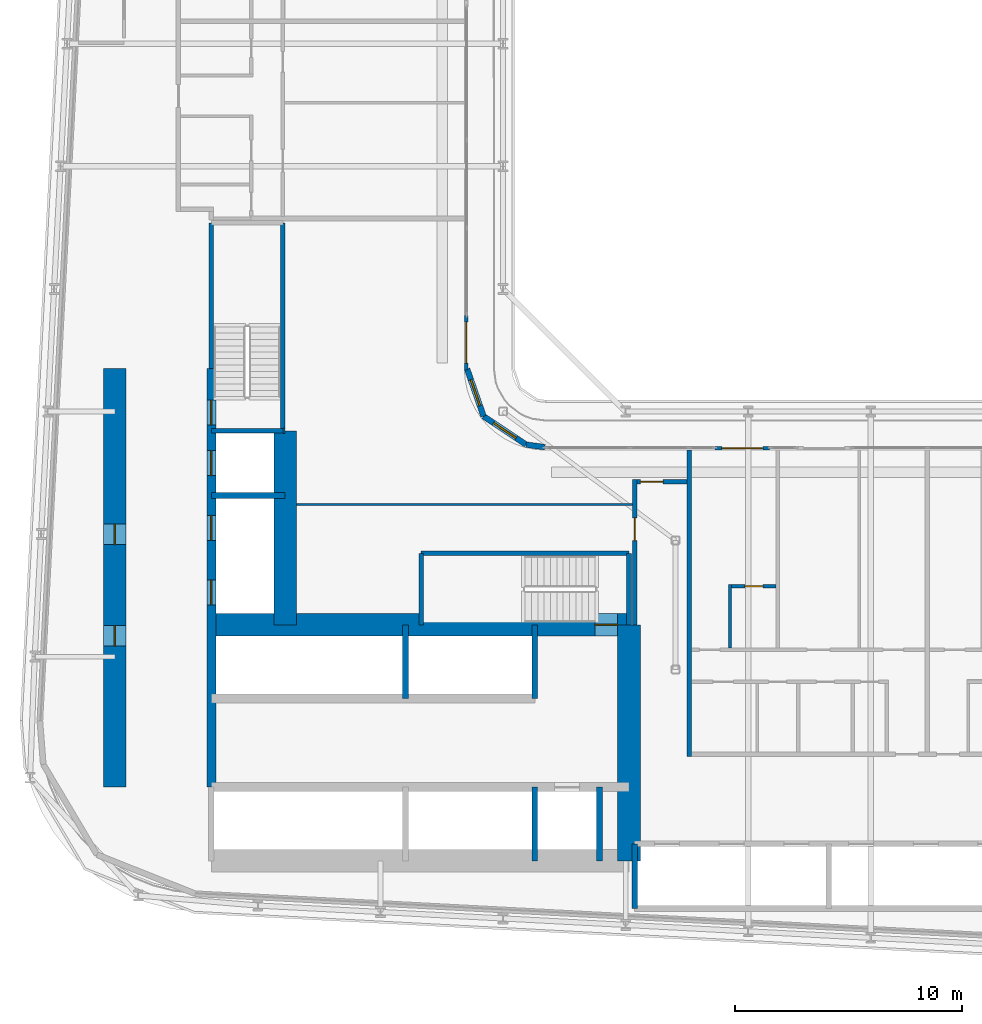
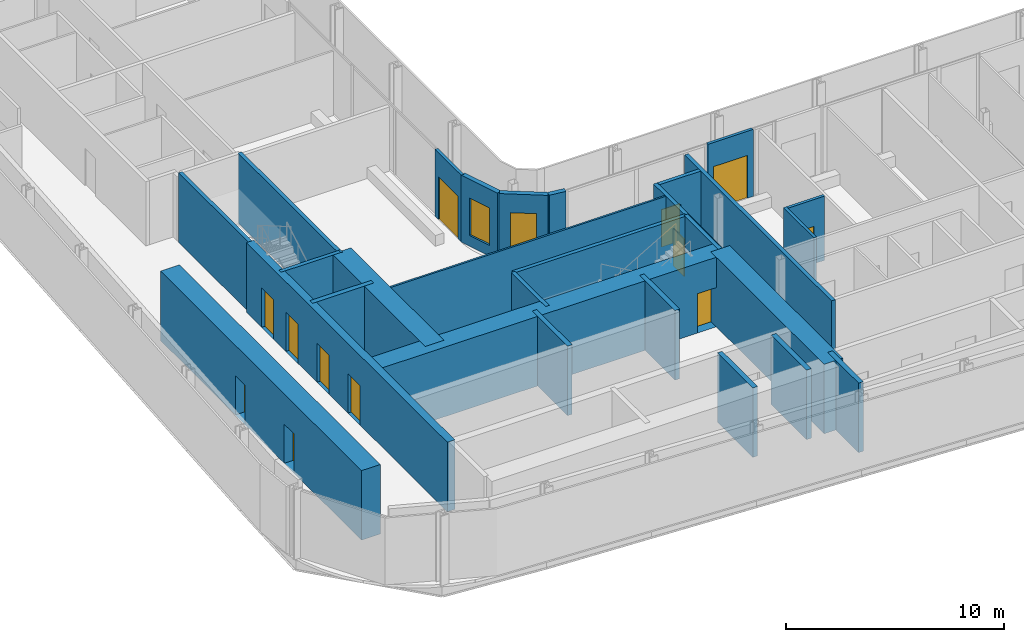
# One storey, part 11 of 24: 29 walls, 12 doors, 2 windows, 14 openings.
"""IFC4 building model written with IfcOpenShell, lengths in metres."""

from ifc_helpers import new_model, si_unit, direction, frame, frame_2d, origin, place, context, subcontext, project, spatial, rectangle, extrude, source, transform, mapped, material, layer, layer_set, type_object, element, fill, save


model = new_model("IFC4")

# Units and contexts
model_context = context("Model", 3, precision=1e-05, world=origin(), true_north=direction((0.0, 1.0)))
body_context = subcontext(model_context, "Body", "Model", "MODEL_VIEW")
ifc_project = project(units=[si_unit("LENGTHUNIT", "METRE"), si_unit("AREAUNIT", "SQUARE_METRE"), si_unit("VOLUMEUNIT", "CUBIC_METRE"), si_unit("PLANEANGLEUNIT", "RADIAN"), si_unit("MASSUNIT", "GRAM", prefix="KILO")], contexts=[model_context])

# Site, building, storey
site_placement = place(None, origin())
site = spatial("IfcSite", under=ifc_project, at=site_placement, CompositionType="ELEMENT")
building_placement = place(site_placement, origin())
building = spatial("IfcBuilding", under=site, at=building_placement, Name="Kheshtan School and Residences Tower", CompositionType="ELEMENT")
storey_placement = place(building_placement, frame((0.0, 0.0, 38.300048828125)))
storey = spatial("IfcBuildingStorey", under=building, at=storey_placement, Name="L08", CompositionType="ELEMENT", Elevation=38.300048828125)

# Wall, opening, door
ifc_material_1 = material(Name="Concrete C80/95", Category="concrete")
ifc_layer_1 = layer(ifc_material_1, 1.0)
ifc_layer_set_1 = layer_set([ifc_layer_1], Name="Core wall 1000 Concrete C80/95")
wall_type_1 = type_object("IfcWallType", Name="Core wall 1000 Concrete C80/95", PredefinedType="SHEAR", material=ifc_layer_set_1)
wall_1_placement = place(storey_placement, frame((34.75, 36.199951171875, 0.0), z_axis=(0.0, 0.0, 1.0), x_axis=(1.0, 0.0, 0.0)))
wall_1 = element("IfcWall", 1, at=wall_1_placement, inside=storey, type_object=wall_type_1, Name="Core wall CW-FRONT-S", PredefinedType="SHEAR", context=body_context, shape_type="SweptSolid", body=[
    extrude(rectangle(XDim=18.39990234375, YDim=1.0, at=frame_2d((9.199951171875, 0.0))), origin(), (0.0, 0.0, 1.0), 3.89990234375),
])
opening_1_placement = place(wall_1_placement, frame((16.89990234375, 0.0, 0.0)))
opening_1 = element("IfcOpeningElement", 2, at=opening_1_placement, cuts=wall_1, Name="Opening ST1D", PredefinedType="OPENING", context=body_context, shape_type="SweptSolid", body=[
    extrude(rectangle(XDim=1.0, YDim=2.199951171875, at=frame_2d((0.5, 1.10009765625))), frame((0.0, 0.510009765625, 0.0), z_axis=(0.0, -1.0, 0.0), x_axis=(1.0, 0.0, 0.0)), (0.0, 0.0, 1.0), 1.02001953125),
])
ifc_material_2 = material(Name="Steel door leaf, galvanised", Category="steel")
door_type_1 = type_object("IfcDoorType", Name="Stair door 1100 steel 90 min", OperationType="SINGLE_SWING_LEFT", PredefinedType="DOOR", material=ifc_material_2)
shared_shape_1 = source(origin(), body_context, "Body", "SweptSolid", [
    extrude(rectangle(XDim=1.0, YDim=2.199951171875, at=frame_2d((0.5, 1.10009765625))), frame((0.0, 0.02490234375, 0.0), z_axis=(0.0, -1.0, 0.0), x_axis=(1.0, 0.0, 0.0)), (0.0, 0.0, 1.0), 0.050048828125),
])
door_1_placement = place(opening_1_placement, origin())
door_1 = element("IfcDoor", 3, at=door_1_placement, inside=storey, type_object=door_type_1, Name="Stair ST1 door", OperationType="SINGLE_SWING_RIGHT", OverallHeight=2.199951171875, OverallWidth=1.0, PredefinedType="DOOR", context=body_context, shape_type="MappedRepresentation", body=[
    mapped(shared_shape_1, transform((0.0, 0.0, 0.0), x_axis=(1.0, 0.0, 0.0), y_axis=(0.0, 1.0, 0.0), z_axis=(0.0, 0.0, 1.0), scale=1.0)),
])
fill(opening_1, door_1)

# Wall
wall_2_placement = place(storey_placement, frame((38.0, 36.199951171875, 0.0), z_axis=(0.0, 0.0, 1.0), x_axis=(0.0, 1.0, 0.0)))
element("IfcWall", 4, at=wall_2_placement, inside=storey, type_object=wall_type_1, Name="Core wall CW-FRONT-W", PredefinedType="SHEAR", context=body_context, shape_type="SweptSolid", body=[
    extrude(rectangle(XDim=8.550048828125, YDim=1.0, at=frame_2d((4.27490234375, 0.0))), origin(), (0.0, 0.0, 1.0), 3.89990234375),
])

# Wall, openings, doors
wall_3_placement = place(storey_placement, frame((30.5, 29.050048828125, 0.0), z_axis=(0.0, 0.0, 1.0), x_axis=(0.0, 1.0, 0.0)))
wall_3 = element("IfcWall", 5, at=wall_3_placement, inside=storey, type_object=wall_type_1, Name="Core wall CW-REAR-W", PredefinedType="SHEAR", context=body_context, shape_type="SweptSolid", body=[
    extrude(rectangle(XDim=18.449951171875, YDim=1.0, at=frame_2d((9.22509765625, 0.0))), origin(), (0.0, 0.0, 1.0), 3.89990234375),
])
opening_2_placement = place(wall_3_placement, frame((6.2099609375, 0.0, 0.0)))
opening_2 = element("IfcOpeningElement", 6, at=opening_2_placement, cuts=wall_3, Name="Opening SR90", PredefinedType="OPENING", context=body_context, shape_type="SweptSolid", body=[
    extrude(rectangle(XDim=0.89990234375, YDim=2.199951171875, at=frame_2d((0.449951171875, 1.10009765625))), frame((0.0, 0.510009765625, 0.0), z_axis=(0.0, -1.0, 0.0), x_axis=(1.0, 0.0, 0.0)), (0.0, 0.0, 1.0), 1.02001953125),
])
opening_3_placement = place(wall_3_placement, frame((10.68408203125, 0.0, 0.0)))
opening_3 = element("IfcOpeningElement", 7, at=opening_3_placement, cuts=wall_3, Name="Opening SR90", PredefinedType="OPENING", context=body_context, shape_type="SweptSolid", body=[
    extrude(rectangle(XDim=0.89990234375, YDim=2.199951171875, at=frame_2d((0.449951171875, 1.10009765625))), frame((0.0, 0.510009765625, 0.0), z_axis=(0.0, -1.0, 0.0), x_axis=(1.0, 0.0, 0.0)), (0.0, 0.0, 1.0), 1.02001953125),
])
door_type_2 = type_object("IfcDoorType", Name="Service room door 900 steel 90 min", OperationType="SINGLE_SWING_LEFT", PredefinedType="DOOR", material=ifc_material_2)
shared_shape_2 = source(origin(), body_context, "Body", "SweptSolid", [
    extrude(rectangle(XDim=0.89990234375, YDim=2.199951171875, at=frame_2d((0.449951171875, 1.10009765625))), frame((0.0, 0.02490234375, 0.0), z_axis=(0.0, -1.0, 0.0), x_axis=(1.0, 0.0, 0.0)), (0.0, 0.0, 1.0), 0.050048828125),
])
door_2_placement = place(opening_2_placement, origin())
door_2 = element("IfcDoor", 8, at=door_2_placement, inside=storey, type_object=door_type_2, Name="Service room door", OperationType="SINGLE_SWING_RIGHT", OverallHeight=2.199951171875, OverallWidth=0.89990234375, PredefinedType="DOOR", context=body_context, shape_type="MappedRepresentation", body=[
    mapped(shared_shape_2, transform((0.0, 0.0, 0.0), x_axis=(1.0, 0.0, 0.0), y_axis=(0.0, 1.0, 0.0), z_axis=(0.0, 0.0, 1.0), scale=1.0)),
])
fill(opening_2, door_2)
door_3_placement = place(opening_3_placement, origin())
door_3 = element("IfcDoor", 9, at=door_3_placement, inside=storey, type_object=door_type_2, Name="Service room door", OperationType="SINGLE_SWING_LEFT", OverallHeight=2.199951171875, OverallWidth=0.89990234375, PredefinedType="DOOR", context=body_context, shape_type="MappedRepresentation", body=[
    mapped(shared_shape_2, transform((0.0, 0.0, 0.0), x_axis=(1.0, 0.0, 0.0), y_axis=(0.0, 1.0, 0.0), z_axis=(0.0, 0.0, 1.0), scale=1.0)),
])
fill(opening_3, door_3)

# Wall
wall_4_placement = place(storey_placement, frame((53.14990234375, 25.800048828125, 0.0), z_axis=(0.0, 0.0, 1.0), x_axis=(0.0, 1.0, 0.0)))
element("IfcWall", 10, at=wall_4_placement, inside=storey, type_object=wall_type_1, Name="Core wall CW-EAST", PredefinedType="SHEAR", context=body_context, shape_type="SweptSolid", body=[
    extrude(rectangle(XDim=10.39990234375, YDim=1.0, at=frame_2d((5.199951171875, 0.0))), origin(), (0.0, 0.0, 1.0), 3.89990234375),
])

# Wall, openings, doors
ifc_material_3 = material(Name="Concrete C50/60", Category="concrete")
ifc_layer_2 = layer(ifc_material_3, 0.39990234375)
ifc_layer_set_2 = layer_set([ifc_layer_2], Name="Core wall 400 Concrete C50/60")
wall_type_2 = type_object("IfcWallType", Name="Core wall 400 Concrete C50/60", PredefinedType="SHEAR", material=ifc_layer_set_2)
wall_5_placement = place(storey_placement, frame((34.75, 29.050048828125, 0.0), z_axis=(0.0, 0.0, 1.0), x_axis=(0.0, 1.0, 0.0)))
wall_5 = element("IfcWall", 11, at=wall_5_placement, inside=storey, type_object=wall_type_2, Name="Core wall CW-HALL-W1", PredefinedType="SHEAR", context=body_context, shape_type="SweptSolid", body=[
    extrude(rectangle(XDim=18.449951171875, YDim=0.39990234375, at=frame_2d((9.22509765625, 0.0))), origin(), (0.0, 0.0, 1.0), 3.89990234375),
])
opening_4_placement = place(wall_5_placement, frame((8.02490234375, 0.0, 0.0)))
opening_4 = element("IfcOpeningElement", 12, at=opening_4_placement, cuts=wall_5, Name="Opening LD", PredefinedType="OPENING", context=body_context, shape_type="SweptSolid", body=[
    extrude(rectangle(XDim=1.10009765625, YDim=2.199951171875, at=frame_2d((0.550048828125, 1.10009765625))), frame((0.0, 0.2099609375, 0.0), z_axis=(0.0, -1.0, 0.0), x_axis=(1.0, 0.0, 0.0)), (0.0, 0.0, 1.0), 0.419921875),
])
opening_5_placement = place(wall_5_placement, frame((10.875, 0.0, 0.0)))
opening_5 = element("IfcOpeningElement", 13, at=opening_5_placement, cuts=wall_5, Name="Opening LD", PredefinedType="OPENING", context=body_context, shape_type="SweptSolid", body=[
    extrude(rectangle(XDim=1.10009765625, YDim=2.199951171875, at=frame_2d((0.550048828125, 1.10009765625))), frame((0.0, 0.2099609375, 0.0), z_axis=(0.0, -1.0, 0.0), x_axis=(1.0, 0.0, 0.0)), (0.0, 0.0, 1.0), 0.419921875),
])
opening_6_placement = place(wall_5_placement, frame((13.72509765625, 0.0, 0.0)))
opening_6 = element("IfcOpeningElement", 14, at=opening_6_placement, cuts=wall_5, Name="Opening LD", PredefinedType="OPENING", context=body_context, shape_type="SweptSolid", body=[
    extrude(rectangle(XDim=1.10009765625, YDim=2.199951171875, at=frame_2d((0.550048828125, 1.10009765625))), frame((0.0, 0.2099609375, 0.0), z_axis=(0.0, -1.0, 0.0), x_axis=(1.0, 0.0, 0.0)), (0.0, 0.0, 1.0), 0.419921875),
])
opening_7_placement = place(wall_5_placement, frame((15.949951171875, 0.0, 0.0)))
opening_7 = element("IfcOpeningElement", 15, at=opening_7_placement, cuts=wall_5, Name="Opening ST2D", PredefinedType="OPENING", context=body_context, shape_type="SweptSolid", body=[
    extrude(rectangle(XDim=1.10009765625, YDim=2.199951171875, at=frame_2d((0.550048828125, 1.10009765625))), frame((0.0, 0.2099609375, 0.0), z_axis=(0.0, -1.0, 0.0), x_axis=(1.0, 0.0, 0.0)), (0.0, 0.0, 1.0), 0.419921875),
])
ifc_material_4 = material(Name="Stainless steel door leaves", Category="steel")
door_type_3 = type_object("IfcDoorType", Name="Lift landing door 1100", OperationType="SLIDING_TO_LEFT", PredefinedType="DOOR", material=ifc_material_4)
shared_shape_3 = source(origin(), body_context, "Body", "SweptSolid", [
    extrude(rectangle(XDim=1.10009765625, YDim=2.199951171875, at=frame_2d((0.550048828125, 1.10009765625))), frame((0.0, 0.02490234375, 0.0), z_axis=(0.0, -1.0, 0.0), x_axis=(1.0, 0.0, 0.0)), (0.0, 0.0, 1.0), 0.050048828125),
])
door_4_placement = place(opening_4_placement, origin())
door_4 = element("IfcDoor", 16, at=door_4_placement, inside=storey, type_object=door_type_3, Name="Lift SV1 landing door", OperationType="SLIDING_TO_LEFT", OverallHeight=2.199951171875, OverallWidth=1.10009765625, PredefinedType="DOOR", context=body_context, shape_type="MappedRepresentation", body=[
    mapped(shared_shape_3, transform((0.0, 0.0, 0.0), x_axis=(1.0, 0.0, 0.0), y_axis=(0.0, 1.0, 0.0), z_axis=(0.0, 0.0, 1.0), scale=1.0)),
])
fill(opening_4, door_4)
door_5_placement = place(opening_5_placement, origin())
door_5 = element("IfcDoor", 17, at=door_5_placement, inside=storey, type_object=door_type_3, Name="Lift SV2 landing door", OperationType="SLIDING_TO_LEFT", OverallHeight=2.199951171875, OverallWidth=1.10009765625, PredefinedType="DOOR", context=body_context, shape_type="MappedRepresentation", body=[
    mapped(shared_shape_3, transform((0.0, 0.0, 0.0), x_axis=(1.0, 0.0, 0.0), y_axis=(0.0, 1.0, 0.0), z_axis=(0.0, 0.0, 1.0), scale=1.0)),
])
fill(opening_5, door_5)
door_6_placement = place(opening_6_placement, origin())
door_6 = element("IfcDoor", 18, at=door_6_placement, inside=storey, type_object=door_type_3, Name="Lift FFL1 landing door", OperationType="SLIDING_TO_LEFT", OverallHeight=2.199951171875, OverallWidth=1.10009765625, PredefinedType="DOOR", context=body_context, shape_type="MappedRepresentation", body=[
    mapped(shared_shape_3, transform((0.0, 0.0, 0.0), x_axis=(1.0, 0.0, 0.0), y_axis=(0.0, 1.0, 0.0), z_axis=(0.0, 0.0, 1.0), scale=1.0)),
])
fill(opening_6, door_6)
shared_shape_4 = source(origin(), body_context, "Body", "SweptSolid", [
    extrude(rectangle(XDim=1.10009765625, YDim=2.199951171875, at=frame_2d((0.550048828125, 1.10009765625))), frame((0.0, 0.02490234375, 0.0), z_axis=(0.0, -1.0, 0.0), x_axis=(1.0, 0.0, 0.0)), (0.0, 0.0, 1.0), 0.050048828125),
])
door_7_placement = place(opening_7_placement, origin())
door_7 = element("IfcDoor", 19, at=door_7_placement, inside=storey, type_object=door_type_1, Name="Stair ST2 door", OperationType="SINGLE_SWING_RIGHT", OverallHeight=2.199951171875, OverallWidth=1.10009765625, PredefinedType="DOOR", context=body_context, shape_type="MappedRepresentation", body=[
    mapped(shared_shape_4, transform((0.0, 0.0, 0.0), x_axis=(1.0, 0.0, 0.0), y_axis=(0.0, 1.0, 0.0), z_axis=(0.0, 0.0, 1.0), scale=1.0)),
])
fill(opening_7, door_7)

# Wall, opening, door
ifc_material_5 = material(Name="Gypsum board on steel studs with fire boards", Category="steel")
ifc_layer_3 = layer(ifc_material_5, 0.199951171875)
ifc_layer_set_3 = layer_set([ifc_layer_3], Name="Corridor wall 200")
wall_type_3 = type_object("IfcWallType", Name="Corridor wall 200", PredefinedType="PARTITIONING", material=ifc_layer_set_3)
wall_6_placement = place(storey_placement, frame((53.39990234375, 36.198974609375, 0.0), z_axis=(0.0, 0.0, 1.0), x_axis=(0.0, 1.0, 0.0)))
wall_6 = element("IfcWall", 20, at=wall_6_placement, inside=storey, type_object=wall_type_3, Name="Partition L08-044", PredefinedType="PARTITIONING", context=body_context, shape_type="SweptSolid", body=[
    extrude(rectangle(XDim=6.401123046875, YDim=0.199951171875, at=frame_2d((3.20068359375, 0.0))), origin(), (0.0, 0.0, 1.0), 3.599853515625),
])
opening_8_placement = place(wall_6_placement, frame((3.708984375, 0.0, 0.0)))
opening_8 = element("IfcOpeningElement", 21, at=opening_8_placement, cuts=wall_6, Name="Opening D08-056", PredefinedType="OPENING", context=body_context, shape_type="SweptSolid", body=[
    extrude(rectangle(XDim=1.0, YDim=2.10009765625, at=frame_2d((0.5, 1.050048828125))), frame((0.0, 0.10986328125, 0.0), z_axis=(0.0, -1.0, 0.0), x_axis=(1.0, 0.0, 0.0)), (0.0, 0.0, 1.0), 0.219970703125),
])
ifc_material_6 = material(Name="Steel-framed fire-resisting door leaf", Category="steel")
door_type_4 = type_object("IfcDoorType", Name="Fire door FD60 1000 x 2100", OperationType="SINGLE_SWING_LEFT", PredefinedType="DOOR", material=ifc_material_6)
shared_shape_5 = source(origin(), body_context, "Body", "SweptSolid", [
    extrude(rectangle(XDim=1.0, YDim=2.10009765625, at=frame_2d((0.5, 1.050048828125))), frame((0.0, 0.02490234375, 0.0), z_axis=(0.0, -1.0, 0.0), x_axis=(1.0, 0.0, 0.0)), (0.0, 0.0, 1.0), 0.050048828125),
])
door_8_placement = place(opening_8_placement, origin())
door_8 = element("IfcDoor", 22, at=door_8_placement, inside=storey, type_object=door_type_4, Name="Door D08-056", OperationType="SINGLE_SWING_LEFT", OverallHeight=2.10009765625, OverallWidth=1.0, PredefinedType="DOOR", context=body_context, shape_type="MappedRepresentation", body=[
    mapped(shared_shape_5, transform((0.0, 0.0, 0.0), x_axis=(1.0, 0.0, 0.0), y_axis=(0.0, 1.0, 0.0), z_axis=(0.0, 0.0, 1.0), scale=1.0)),
])
fill(opening_8, door_8)

wall_7_placement = place(storey_placement, frame((53.5, 42.5, 0.0), z_axis=(0.0, 0.0, 1.0), x_axis=(1.0, 0.0, 0.0)))
wall_7 = element("IfcWall", 23, at=wall_7_placement, inside=storey, type_object=wall_type_3, Name="Partition L08-045", PredefinedType="PARTITIONING", context=body_context, shape_type="SweptSolid", body=[
    extrude(rectangle(XDim=2.199951171875, YDim=0.199951171875, at=frame_2d((1.10009765625, 0.0))), origin(), (0.0, 0.0, 1.0), 3.599853515625),
])
opening_9_placement = place(wall_7_placement, frame((0.14990234375, 0.0, 0.0)))
opening_9 = element("IfcOpeningElement", 24, at=opening_9_placement, cuts=wall_7, Name="Opening D08-057", PredefinedType="OPENING", context=body_context, shape_type="SweptSolid", body=[
    extrude(rectangle(XDim=1.0, YDim=2.10009765625, at=frame_2d((0.5, 1.050048828125))), frame((0.0, 0.10986328125, 0.0), z_axis=(0.0, -1.0, 0.0), x_axis=(1.0, 0.0, 0.0)), (0.0, 0.0, 1.0), 0.219970703125),
])
door_9_placement = place(opening_9_placement, origin())
door_9 = element("IfcDoor", 25, at=door_9_placement, inside=storey, type_object=door_type_4, Name="Door D08-057", OperationType="SINGLE_SWING_RIGHT", OverallHeight=2.10009765625, OverallWidth=1.0, PredefinedType="DOOR", context=body_context, shape_type="MappedRepresentation", body=[
    mapped(shared_shape_5, transform((0.0, 0.0, 0.0), x_axis=(1.0, 0.0, 0.0), y_axis=(0.0, 1.0, 0.0), z_axis=(0.0, 0.0, 1.0), scale=1.0)),
])
fill(opening_9, door_9)

# Wall, opening, window
ifc_material_7 = material(Name="Concrete C40/50 with ceramic cladding and mineral wool insulation", Category="concrete")
ifc_layer_4 = layer(ifc_material_7, 0.25)
ifc_layer_set_4 = layer_set([ifc_layer_4], Name="External wall 250 ceramic clad")
wall_type_4 = type_object("IfcWallType", Name="External wall 250 ceramic clad", PredefinedType="SOLIDWALL", material=ifc_layer_set_4)
wall_8_placement = place(storey_placement, frame((46.01806640625, 47.470947265625, 0.0), z_axis=(0.0, 0.0, 1.0), x_axis=(0.328791208903, -0.944402637093, 0.0)))
wall_8 = element("IfcWall", 26, at=wall_8_placement, inside=storey, type_object=wall_type_4, Name="External wall L08 9", PredefinedType="SOLIDWALL", context=body_context, shape_type="SweptSolid", body=[
    extrude(rectangle(XDim=2.20458984375, YDim=0.25, at=frame_2d((1.102294921875, 0.0))), origin(), (0.0, 0.0, 1.0), 3.75),
])
opening_10_placement = place(wall_8_placement, frame((0.5029296875, 0.0, 0.60009765625)))
opening_10 = element("IfcOpeningElement", 27, at=opening_10_placement, cuts=wall_8, Name="Opening WN-E", PredefinedType="OPENING", context=body_context, shape_type="SweptSolid", body=[
    extrude(rectangle(XDim=1.199951171875, YDim=2.10009765625, at=frame_2d((0.60009765625, 1.050048828125))), frame((0.0, 0.135009765625, 0.0), z_axis=(0.0, -1.0, 0.0), x_axis=(1.0, 0.0, 0.0)), (0.0, 0.0, 1.0), 0.27001953125),
])
ifc_material_8 = material(Name="Clear low-e glass in thermally broken aluminium frame", Category="aluminium")
window_type = type_object("IfcWindowType", Name="Window WN-E", PartitioningType="SINGLE_PANEL", PredefinedType="WINDOW", material=ifc_material_8)
shared_shape_6 = source(origin(), body_context, "Body", "SweptSolid", [
    extrude(rectangle(XDim=1.199951171875, YDim=2.10009765625, at=frame_2d((0.60009765625, 1.050048828125))), frame((0.0, 0.030029296875, 0.0), z_axis=(0.0, -1.0, 0.0), x_axis=(1.0, 0.0, 0.0)), (0.0, 0.0, 1.0), 0.06005859375),
])
window_1_placement = place(opening_10_placement, origin())
window_1 = element("IfcWindow", 28, at=window_1_placement, inside=storey, type_object=window_type, Name="Window L08 9", OverallHeight=2.10009765625, OverallWidth=1.199951171875, PartitioningType="SINGLE_PANEL", PredefinedType="WINDOW", context=body_context, shape_type="MappedRepresentation", body=[
    mapped(shared_shape_6, transform((0.0, 0.0, 0.0), x_axis=(1.0, 0.0, 0.0), y_axis=(0.0, 1.0, 0.0), z_axis=(0.0, 0.0, 1.0), scale=1.0)),
])
fill(opening_10, window_1)

wall_9_placement = place(storey_placement, frame((46.742919921875, 45.388916015625, 0.0), z_axis=(0.0, 0.0, 1.0), x_axis=(0.831449265529, -0.555600682912, 0.0)))
wall_9 = element("IfcWall", 29, at=wall_9_placement, inside=storey, type_object=wall_type_4, Name="External wall L08 10", PredefinedType="SOLIDWALL", context=body_context, shape_type="SweptSolid", body=[
    extrude(rectangle(XDim=2.25146484375, YDim=0.25, at=frame_2d((1.125732421875, 0.0))), origin(), (0.0, 0.0, 1.0), 3.75),
])
opening_11_placement = place(wall_9_placement, frame((0.52490234375, 0.0, 0.60009765625)))
opening_11 = element("IfcOpeningElement", 30, at=opening_11_placement, cuts=wall_9, Name="Opening WN-E", PredefinedType="OPENING", context=body_context, shape_type="SweptSolid", body=[
    extrude(rectangle(XDim=1.199951171875, YDim=2.10009765625, at=frame_2d((0.60009765625, 1.050048828125))), frame((0.0, 0.135009765625, 0.0), z_axis=(0.0, -1.0, 0.0), x_axis=(1.0, 0.0, 0.0)), (0.0, 0.0, 1.0), 0.27001953125),
])
window_2_placement = place(opening_11_placement, origin())
window_2 = element("IfcWindow", 31, at=window_2_placement, inside=storey, type_object=window_type, Name="Window L08 10", OverallHeight=2.10009765625, OverallWidth=1.199951171875, PartitioningType="SINGLE_PANEL", PredefinedType="WINDOW", context=body_context, shape_type="MappedRepresentation", body=[
    mapped(shared_shape_6, transform((0.0, 0.0, 0.0), x_axis=(1.0, 0.0, 0.0), y_axis=(0.0, 1.0, 0.0), z_axis=(0.0, 0.0, 1.0), scale=1.0)),
])
fill(opening_11, window_2)

# Wall
wall_10_placement = place(storey_placement, frame((48.614990234375, 44.137939453125, 0.0), z_axis=(0.0, 0.0, 1.0), x_axis=(0.990741504246, -0.135761819977, 0.0)))
element("IfcWall", 32, at=wall_10_placement, inside=storey, type_object=wall_type_4, Name="External wall L08 11", PredefinedType="SOLIDWALL", context=body_context, shape_type="SweptSolid", body=[
    extrude(rectangle(XDim=0.83984375, YDim=0.25, at=frame_2d((0.419921875, 0.0))), origin(), (0.0, 0.0, 1.0), 3.75),
])

# Wall, opening, door
ifc_material_9 = material(Name="Aluminium frame wall with insulated infill", Category="aluminium")
ifc_layer_5 = layer(ifc_material_9, 0.14990234375)
ifc_layer_set_5 = layer_set([ifc_layer_5], Name="Glazing frame wall 150")
wall_type_5 = type_object("IfcWallType", Name="Glazing frame wall 150", PredefinedType="SOLIDWALL", material=ifc_layer_set_5)
wall_11_placement = place(storey_placement, frame((45.97509765625, 49.830078125, 0.0), z_axis=(0.0, 0.0, 1.0), x_axis=(0.0, -1.0, 0.0)))
wall_11 = element("IfcWall", 33, at=wall_11_placement, inside=storey, type_object=wall_type_5, Name="Balcony door wall L08 8.5", PredefinedType="SOLIDWALL", context=body_context, shape_type="SweptSolid", body=[
    extrude(rectangle(XDim=2.400146484375, YDim=0.14990234375, at=frame_2d((1.2001953125, 0.0))), origin(), (0.0, 0.0, 1.0), 3.75),
])
opening_12_placement = place(wall_11_placement, frame((0.300048828125, 0.0, 0.0)))
opening_12 = element("IfcOpeningElement", 34, at=opening_12_placement, cuts=wall_11, Name="Opening BD", PredefinedType="OPENING", context=body_context, shape_type="SweptSolid", body=[
    extrude(rectangle(XDim=1.800048828125, YDim=2.39990234375, at=frame_2d((0.89990234375, 1.199951171875))), frame((0.0, 0.0849609375, 0.0), z_axis=(0.0, -1.0, 0.0), x_axis=(1.0, 0.0, 0.0)), (0.0, 0.0, 1.0), 0.169921875),
])
door_type_5 = type_object("IfcDoorType", Name="Balcony sliding door", OperationType="SLIDING_TO_LEFT", PredefinedType="DOOR", material=ifc_material_8)
shared_shape_7 = source(origin(), body_context, "Body", "SweptSolid", [
    extrude(rectangle(XDim=1.800048828125, YDim=2.39990234375, at=frame_2d((0.89990234375, 1.199951171875))), frame((0.0, 0.02490234375, 0.0), z_axis=(0.0, -1.0, 0.0), x_axis=(1.0, 0.0, 0.0)), (0.0, 0.0, 1.0), 0.050048828125),
])
door_10_placement = place(opening_12_placement, origin())
door_10 = element("IfcDoor", 35, at=door_10_placement, inside=storey, type_object=door_type_5, Name="Balcony door L08 8.5", OperationType="SLIDING_TO_LEFT", OverallHeight=2.39990234375, OverallWidth=1.800048828125, PredefinedType="DOOR", context=body_context, shape_type="MappedRepresentation", body=[
    mapped(shared_shape_7, transform((0.0, 0.0, 0.0), x_axis=(1.0, 0.0, 0.0), y_axis=(0.0, 1.0, 0.0), z_axis=(0.0, 0.0, 1.0), scale=1.0)),
])
fill(opening_12, door_10)

wall_12_placement = place(storey_placement, frame((56.947021484375, 43.97509765625, 0.0), z_axis=(0.0, 0.0, 1.0), x_axis=(1.0, 0.0, 0.0)))
wall_12 = element("IfcWall", 36, at=wall_12_placement, inside=storey, type_object=wall_type_5, Name="Balcony door wall L08 12.1", PredefinedType="SOLIDWALL", context=body_context, shape_type="SweptSolid", body=[
    extrude(rectangle(XDim=2.39990234375, YDim=0.14990234375, at=frame_2d((1.199951171875, 0.0))), origin(), (0.0, 0.0, 1.0), 3.75),
])
opening_13_placement = place(wall_12_placement, frame((0.300048828125, 0.0, 0.0)))
opening_13 = element("IfcOpeningElement", 37, at=opening_13_placement, cuts=wall_12, Name="Opening BD", PredefinedType="OPENING", context=body_context, shape_type="SweptSolid", body=[
    extrude(rectangle(XDim=1.800048828125, YDim=2.39990234375, at=frame_2d((0.89990234375, 1.199951171875))), frame((0.0, 0.0849609375, 0.0), z_axis=(0.0, -1.0, 0.0), x_axis=(1.0, 0.0, 0.0)), (0.0, 0.0, 1.0), 0.169921875),
])
door_11_placement = place(opening_13_placement, origin())
door_11 = element("IfcDoor", 38, at=door_11_placement, inside=storey, type_object=door_type_5, Name="Balcony door L08 12.1", OperationType="SLIDING_TO_LEFT", OverallHeight=2.39990234375, OverallWidth=1.800048828125, PredefinedType="DOOR", context=body_context, shape_type="MappedRepresentation", body=[
    mapped(shared_shape_7, transform((0.0, 0.0, 0.0), x_axis=(1.0, 0.0, 0.0), y_axis=(0.0, 1.0, 0.0), z_axis=(0.0, 0.0, 1.0), scale=1.0)),
])
fill(opening_13, door_11)

# Walls
ifc_material_10 = material(Name="Gypsum board on steel studs", Category="steel")
ifc_layer_6 = layer(ifc_material_10, 0.10009765625)
ifc_layer_set_6 = layer_set([ifc_layer_6], Name="Gypsum partition 100")
wall_type_6 = type_object("IfcWallType", Name="Gypsum partition 100", PredefinedType="PARTITIONING", material=ifc_layer_set_6)
wall_13_placement = place(storey_placement, frame((38.4990234375, 41.5, 0.0), z_axis=(0.0, 0.0, 1.0), x_axis=(1.0, 0.0, 0.0)))
element("IfcWall", 39, at=wall_13_placement, inside=storey, type_object=wall_type_6, Name="Partition L08-042", PredefinedType="PARTITIONING", context=body_context, shape_type="SweptSolid", body=[
    extrude(rectangle(XDim=14.801025390625, YDim=0.10009765625, at=frame_2d((7.400390625, 0.0))), origin(), (0.0, 0.0, 1.0), 3.599853515625),
])
ifc_material_11 = material(Name="Fire-board shaft wall system")
ifc_layer_7 = layer(ifc_material_11, 0.25)
ifc_layer_set_7 = layer_set([ifc_layer_7], Name="Shaft lining wall 250")
wall_type_7 = type_object("IfcWallType", Name="Shaft lining wall 250", PredefinedType="PARTITIONING", material=ifc_layer_set_7)
for number, where, z_axis, x_axis, name in (
    (40, (43.300048828125, 32.949951171875, 0.0), (0.0, 0.0, 1.0), (0.0, 1.0, 0.0), "Shaft lining wall"),
    (41, (49.0, 25.800048828125, 0.0), (0.0, 0.0, 1.0), (0.0, 1.0, 0.0), "Shaft lining wall"),
    (42, (49.0, 32.949951171875, 0.0), (0.0, 0.0, 1.0), (0.0, 1.0, 0.0), "Shaft lining wall"),
    (43, (51.85009765625, 25.800048828125, 0.0), (0.0, 0.0, 1.0), (0.0, 1.0, 0.0), "Shaft lining wall"),
):
    element("IfcWall", number, at=place(storey_placement, frame(where, z_axis=z_axis, x_axis=x_axis)), inside=storey, type_object=wall_type_7, Name=name, PredefinedType="PARTITIONING", context=body_context, shape_type="SweptSolid", body=[
        extrude(rectangle(XDim=3.25, YDim=0.25, at=frame_2d((1.625, 0.0))), origin(), (0.0, 0.0, 1.0), 3.89990234375),
    ])
wall_14_placement = place(storey_placement, frame((53.39990234375, 23.699951171875, 0.0), z_axis=(0.0, 0.0, 1.0), x_axis=(0.0, 1.0, 0.0)))
element("IfcWall", 44, at=wall_14_placement, inside=storey, type_object=wall_type_7, Name="Shaft lining wall", PredefinedType="PARTITIONING", context=body_context, shape_type="SweptSolid", body=[
    extrude(rectangle(XDim=2.85009765625, YDim=0.25, at=frame_2d((1.425048828125, 0.0))), origin(), (0.0, 0.0, 1.0), 3.89990234375),
])
wall_15_placement = place(storey_placement, frame((34.75, 41.89990234375, 0.0), z_axis=(0.0, 0.0, 1.0), x_axis=(1.0, 0.0, 0.0)))
element("IfcWall", 45, at=wall_15_placement, inside=storey, type_object=wall_type_7, Name="Shaft lining wall", PredefinedType="PARTITIONING", context=body_context, shape_type="SweptSolid", body=[
    extrude(rectangle(XDim=3.25, YDim=0.25, at=frame_2d((1.625, 0.0))), origin(), (0.0, 0.0, 1.0), 3.89990234375),
])
wall_16_placement = place(storey_placement, frame((37.89990234375, 44.75, 0.0), z_axis=(0.0, 0.0, 1.0), x_axis=(1.0, 0.0, 0.0)))
element("IfcWall", 46, at=wall_16_placement, inside=storey, type_object=wall_type_7, Name="Shaft lining wall", PredefinedType="PARTITIONING", context=body_context, shape_type="SweptSolid", body=[
    extrude(rectangle(XDim=0.10009765625, YDim=0.25, at=frame_2d((0.050048828125, 0.0))), origin(), (0.0, 0.0, 1.0), 3.89990234375),
])
ifc_material_12 = material(Name="Concrete C40/50", Category="concrete")
ifc_layer_8 = layer(ifc_material_12, 0.199951171875)
ifc_layer_set_8 = layer_set([ifc_layer_8], Name="Stair enclosure wall 200 Concrete C40/50")
wall_type_8 = type_object("IfcWallType", Name="Stair enclosure wall 200 Concrete C40/50", PredefinedType="SHEAR", material=ifc_layer_set_8)
wall_17_placement = place(storey_placement, frame((43.989990234375, 39.35009765625, 0.0), z_axis=(0.0, 0.0, 1.0), x_axis=(1.0, 0.0, 0.0)))
element("IfcWall", 47, at=wall_17_placement, inside=storey, type_object=wall_type_8, Name="Stair enclosure wall ST1", PredefinedType="SHEAR", context=body_context, shape_type="SweptSolid", body=[
    extrude(rectangle(XDim=9.159912109375, YDim=0.199951171875, at=frame_2d((4.580078125, 0.0))), origin(), (0.0, 0.0, 1.0), 3.89990234375),
])
for number, where, z_axis, x_axis, name in (
    (48, (43.989990234375, 36.199951171875, 0.0), (0.0, 0.0, 1.0), (0.0, 1.0, 0.0), "Stair enclosure wall ST1"),
    (49, (53.14990234375, 36.199951171875, 0.0), (0.0, 0.0, 1.0), (0.0, 1.0, 0.0), "Stair enclosure wall ST1"),
):
    element("IfcWall", number, at=place(storey_placement, frame(where, z_axis=z_axis, x_axis=x_axis)), inside=storey, type_object=wall_type_8, Name=name, PredefinedType="SHEAR", context=body_context, shape_type="SweptSolid", body=[
        extrude(rectangle(XDim=3.150146484375, YDim=0.199951171875, at=frame_2d((1.5751953125, 0.0))), origin(), (0.0, 0.0, 1.0), 3.89990234375),
    ])
wall_18_placement = place(storey_placement, frame((34.75, 44.75, 0.0), z_axis=(0.0, 0.0, 1.0), x_axis=(1.0, 0.0, 0.0)))
element("IfcWall", 50, at=wall_18_placement, inside=storey, type_object=wall_type_8, Name="Stair enclosure wall ST2", PredefinedType="SHEAR", context=body_context, shape_type="SweptSolid", body=[
    extrude(rectangle(XDim=3.14990234375, YDim=0.199951171875, at=frame_2d((1.574951171875, 0.0))), origin(), (0.0, 0.0, 1.0), 3.89990234375),
])
wall_19_placement = place(storey_placement, frame((34.75, 47.5, 0.0), z_axis=(0.0, 0.0, 1.0), x_axis=(0.0, 1.0, 0.0)))
element("IfcWall", 51, at=wall_19_placement, inside=storey, type_object=wall_type_8, Name="Stair enclosure wall ST2", PredefinedType="SHEAR", context=body_context, shape_type="SweptSolid", body=[
    extrude(rectangle(XDim=6.409912109375, YDim=0.199951171875, at=frame_2d((3.205078125, 0.0))), origin(), (0.0, 0.0, 1.0), 3.89990234375),
])
wall_20_placement = place(storey_placement, frame((37.89990234375, 44.75, 0.0), z_axis=(0.0, 0.0, 1.0), x_axis=(0.0, 1.0, 0.0)))
element("IfcWall", 52, at=wall_20_placement, inside=storey, type_object=wall_type_8, Name="Stair enclosure wall ST2", PredefinedType="SHEAR", context=body_context, shape_type="SweptSolid", body=[
    extrude(rectangle(XDim=9.159912109375, YDim=0.199951171875, at=frame_2d((4.580078125, 0.0))), origin(), (0.0, 0.0, 1.0), 3.89990234375),
])
ifc_material_13 = material(Name="Twin gypsum board on steel studs with mineral wool", Category="steel")
ifc_layer_9 = layer(ifc_material_13, 0.199951171875)
ifc_layer_set_9 = layer_set([ifc_layer_9], Name="Unit demising wall 200")
wall_type_9 = type_object("IfcWallType", Name="Unit demising wall 200", PredefinedType="PARTITIONING", material=ifc_layer_set_9)
wall_21_placement = place(storey_placement, frame((55.800048828125, 30.39990234375, 0.0), z_axis=(0.0, 0.0, 1.0), x_axis=(0.0, 1.0, 0.0)))
element("IfcWall", 53, at=wall_21_placement, inside=storey, type_object=wall_type_9, Name="Partition L08-046", PredefinedType="PARTITIONING", context=body_context, shape_type="SweptSolid", body=[
    extrude(rectangle(XDim=13.5, YDim=0.199951171875, at=frame_2d((6.75, 0.0))), origin(), (0.0, 0.0, 1.0), 3.599853515625),
])
ifc_material_14 = material(Name="Moisture-resistant gypsum board on steel studs", Category="steel")
ifc_layer_10 = layer(ifc_material_14, 0.14990234375)
ifc_layer_set_10 = layer_set([ifc_layer_10], Name="Wet-room partition 150")
wall_type_10 = type_object("IfcWallType", Name="Wet-room partition 150", PredefinedType="PARTITIONING", material=ifc_layer_set_10)
wall_22_placement = place(storey_placement, frame((57.60009765625, 35.175048828125, 0.0), z_axis=(0.0, 0.0, 1.0), x_axis=(0.0, 1.0, 0.0)))
element("IfcWall", 54, at=wall_22_placement, inside=storey, type_object=wall_type_10, Name="Partition L08-050", PredefinedType="PARTITIONING", context=body_context, shape_type="SweptSolid", body=[
    extrude(rectangle(XDim=2.800048828125, YDim=0.14990234375, at=frame_2d((1.39990234375, 0.0))), origin(), (0.0, 0.0, 1.0), 3.599853515625),
])

# Wall, opening, door
wall_23_placement = place(storey_placement, frame((57.675048828125, 37.89990234375, 0.0), z_axis=(0.0, 0.0, 1.0), x_axis=(1.0, 0.0, 0.0)))
wall_23 = element("IfcWall", 55, at=wall_23_placement, inside=storey, type_object=wall_type_10, Name="Partition L08-051", PredefinedType="PARTITIONING", context=body_context, shape_type="SweptSolid", body=[
    extrude(rectangle(XDim=1.949951171875, YDim=0.14990234375, at=frame_2d((0.97509765625, 0.0))), origin(), (0.0, 0.0, 1.0), 3.599853515625),
])
opening_14_placement = place(wall_23_placement, frame((0.574951171875, 0.0, 0.0)))
opening_14 = element("IfcOpeningElement", 56, at=opening_14_placement, cuts=wall_23, Name="Opening D08-003", PredefinedType="OPENING", context=body_context, shape_type="SweptSolid", body=[
    extrude(rectangle(XDim=0.800048828125, YDim=2.10009765625, at=frame_2d((0.39990234375, 1.050048828125))), frame((0.0, 0.0849609375, 0.0), z_axis=(0.0, -1.0, 0.0), x_axis=(1.0, 0.0, 0.0)), (0.0, 0.0, 1.0), 0.169921875),
])
ifc_material_15 = material(Name="Veneered timber door leaf", Category="wood")
door_type_6 = type_object("IfcDoorType", Name="Door 800 x 2100", OperationType="SINGLE_SWING_LEFT", PredefinedType="DOOR", material=ifc_material_15)
shared_shape_8 = source(origin(), body_context, "Body", "SweptSolid", [
    extrude(rectangle(XDim=0.800048828125, YDim=2.10009765625, at=frame_2d((0.39990234375, 1.050048828125))), frame((0.0, 0.02490234375, 0.0), z_axis=(0.0, -1.0, 0.0), x_axis=(1.0, 0.0, 0.0)), (0.0, 0.0, 1.0), 0.050048828125),
])
door_12_placement = place(opening_14_placement, origin())
door_12 = element("IfcDoor", 57, at=door_12_placement, inside=storey, type_object=door_type_6, Name="Door D08-003", OperationType="SINGLE_SWING_LEFT", OverallHeight=2.10009765625, OverallWidth=0.800048828125, PredefinedType="DOOR", context=body_context, shape_type="MappedRepresentation", body=[
    mapped(shared_shape_8, transform((0.0, 0.0, 0.0), x_axis=(1.0, 0.0, 0.0), y_axis=(0.0, 1.0, 0.0), z_axis=(0.0, 0.0, 1.0), scale=1.0)),
])
fill(opening_14, door_12)

save(model, "model.ifc")
